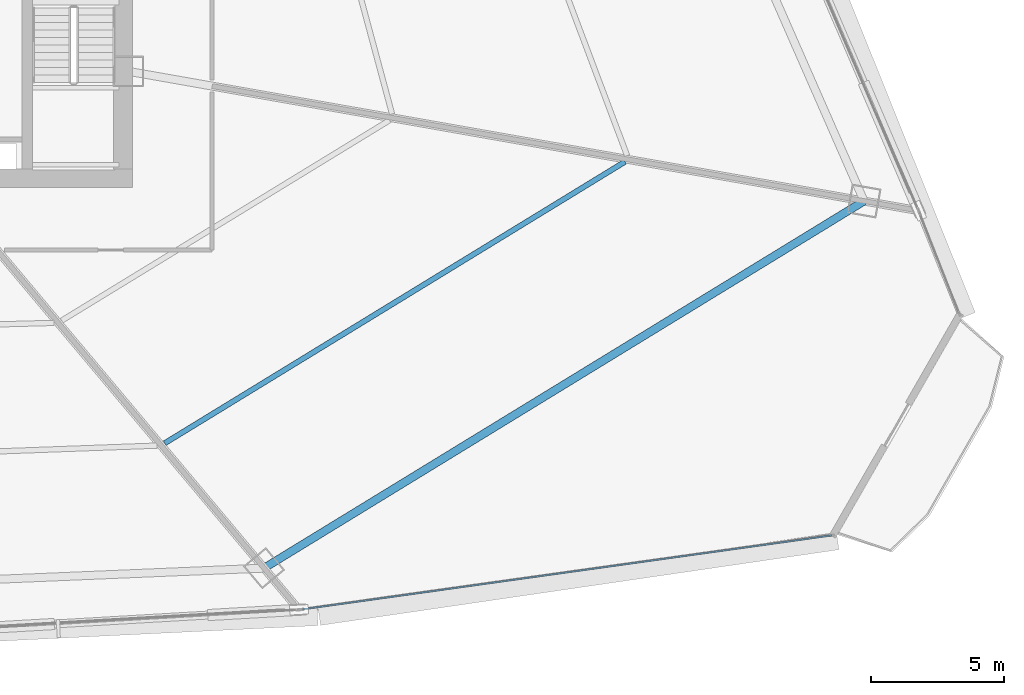
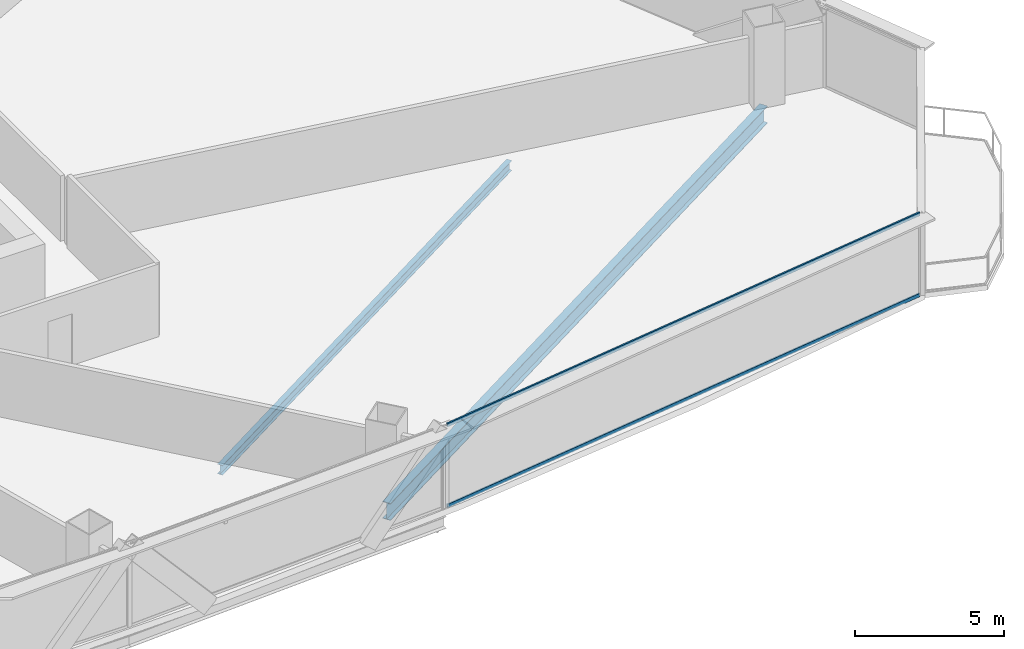
# One storey, part 20 of 38: 2 beams, 2 members, 1 element without a shape of its own.
"""IFC4 building model written with IfcOpenShell, lengths in metres."""

from ifc_helpers import new_model, si_unit, direction, frame, origin, origin_2d, place, context, subcontext, project, spatial, hollow_rectangle, i_section, extrude, source, transform, mapped, material, layer, layer_set, material_profile, profile_set, type_object, element, aggregate, save


model = new_model("IFC4")

# Units and contexts
model_context = context("Model", 3, precision=1e-05, world=origin(), true_north=direction((0.0, 1.0)))
body_context = subcontext(model_context, "Body", "Model", "MODEL_VIEW")
ifc_project = project(units=[si_unit("LENGTHUNIT", "METRE"), si_unit("AREAUNIT", "SQUARE_METRE"), si_unit("VOLUMEUNIT", "CUBIC_METRE"), si_unit("PLANEANGLEUNIT", "RADIAN"), si_unit("MASSUNIT", "GRAM", prefix="KILO"), si_unit("THERMODYNAMICTEMPERATUREUNIT", "KELVIN"), si_unit("POWERUNIT", "WATT")], contexts=[model_context])

# Site, building, storey
site_placement = place(None, origin())
site = spatial("IfcSite", under=ifc_project, at=site_placement, CompositionType="ELEMENT")
building_placement = place(site_placement, origin())
building = spatial("IfcBuilding", under=site, at=building_placement, Name="Yunzhuo Pagoda Commons", CompositionType="ELEMENT")
storey_placement = place(building_placement, frame((0.0, 0.0, 30.39990234375)))
storey = spatial("IfcBuildingStorey", under=building, at=storey_placement, Name="L07", CompositionType="ELEMENT", Elevation=30.39990234375)

# Beams
ifc_material_1 = material(Name="Structural steel Q355B", Category="steel")
ifc_material_profile_1 = material_profile(ifc_material_1, i_section(OverallWidth=0.300048828125, OverallDepth=0.699951171875, WebThickness=0.012939453125, FlangeThickness=0.02392578125, at=origin_2d()), Name="Structural steel Q355B")
ifc_profile_set_1 = profile_set([ifc_material_profile_1], Name="Structural steel Q355B")
beam_type_1 = type_object("IfcBeamType", Name="B-RG1 Beam HN 700x300x13x24", PredefinedType="BEAM", material=ifc_profile_set_1)
shared_shape_1 = source(origin(), body_context, "Body", "SweptSolid", [
    extrude(i_section(OverallWidth=0.300048828125, OverallDepth=0.699951171875, WebThickness=0.012939453125, FlangeThickness=0.02392578125, at=origin_2d()), origin(), (0.0, 0.0, 1.0), 26.432373046875),
])
beam_1_placement = place(storey_placement, frame((65.5, 12.844482421875, -0.60986328125), z_axis=(0.853031728928, 0.521859051318, 0.0), x_axis=(-0.521859051318, 0.853031728928, 0.0)))
element("IfcBeam", 1, at=beam_1_placement, inside=storey, type_object=beam_type_1, Name="L07 column-ring beam 4", PredefinedType="BEAM", context=body_context, shape_type="MappedRepresentation", body=[
    mapped(shared_shape_1, transform((0.0, 0.0, 0.0), scale=1.0)),
])
ifc_material_profile_2 = material_profile(ifc_material_1, i_section(OverallWidth=0.199951171875, OverallDepth=0.39990234375, WebThickness=0.008056640625, FlangeThickness=0.012939453125, at=origin_2d()), Name="Structural steel Q355B")
ifc_profile_set_2 = profile_set([ifc_material_profile_2], Name="Structural steel Q355B")
beam_type_2 = type_object("IfcBeamType", Name="B-JS1 Joist HN 400x200x8x13", PredefinedType="JOIST", material=ifc_profile_set_2)
shared_shape_2 = source(origin(), body_context, "Body", "SweptSolid", [
    extrude(i_section(OverallWidth=0.199951171875, OverallDepth=0.39990234375, WebThickness=0.008056640625, FlangeThickness=0.012939453125, at=origin_2d()), origin(), (0.0, 0.0, 1.0), 20.275634765625),
])
beam_2_placement = place(storey_placement, frame((61.767578125, 17.537109375, -0.4599609375), z_axis=(0.853102898066, 0.521742700295, 0.0), x_axis=(-0.521742700295, 0.853102898066, 0.0)))
element("IfcBeam", 2, at=beam_2_placement, inside=storey, type_object=beam_type_2, Name="L07 composite ring joist 2.4", PredefinedType="JOIST", context=body_context, shape_type="MappedRepresentation", body=[
    mapped(shared_shape_2, transform((0.0, 0.0, 0.0), scale=1.0)),
])

# Curtain wall, members
ifc_material_2 = material(Name="Anodized aluminium 6063-T6", Category="aluminium")
ifc_layer = layer(ifc_material_2, 0.1650390625)
ifc_layer_set = layer_set([ifc_layer], Name="Anodized aluminium 6063-T6")
curtain_wall_type = type_object("IfcCurtainWallType", Name="CW-LOW Low-Zone Ribbon Curtain Wall", PredefinedType="NOTDEFINED", material=ifc_layer_set)
curtain_wall_placement = place(storey_placement, origin())
curtain_wall = element("IfcCurtainWall", 3, at=curtain_wall_placement, inside=storey, type_object=curtain_wall_type, Name="L07 curtain wall CW-L07-F1B5", PredefinedType="NOTDEFINED")
ifc_material_profile_3 = material_profile(ifc_material_2, hollow_rectangle(XDim=0.06005859375, YDim=0.139892578125, WallThickness=0.00341796875, at=origin_2d()), Name="Anodized aluminium 6063-T6")
ifc_profile_set_3 = profile_set([ifc_material_profile_3], Name="Anodized aluminium 6063-T6")
member_type = type_object("IfcMemberType", Name="CW-LOW-T Transom RHS 140x60x3.5", PredefinedType="USERDEFINED", material=ifc_profile_set_3)
shared_shape_3 = source(origin(), body_context, "Body", "SweptSolid", [
    extrude(hollow_rectangle(XDim=0.06005859375, YDim=0.139892578125, WallThickness=0.00341796875, at=origin_2d()), origin(), (0.0, 0.0, 1.0), 20.06201171875),
])
member_1_placement = place(storey_placement, frame((66.95166015625, 11.298828125, 0.030029296875), z_axis=(0.990391410745, 0.138292637271, 0.0), x_axis=(-0.138292637271, 0.990391410745, 0.0)))
member_1 = element("IfcMember", 4, at=member_1_placement, type_object=member_type, Name="CW transom 1.1", ObjectType="TRANSOM", PredefinedType="USERDEFINED", context=body_context, shape_type="MappedRepresentation", body=[
    mapped(shared_shape_3, transform((0.0, 0.0, 0.0), scale=1.0)),
])
member_2_placement = place(storey_placement, frame((66.95166015625, 11.298828125, 3.340087890625), z_axis=(0.990391410745, 0.138292637271, 0.0), x_axis=(-0.138292637271, 0.990391410745, 0.0)))
member_2 = element("IfcMember", 5, at=member_2_placement, type_object=member_type, Name="CW transom 1.2", ObjectType="TRANSOM", PredefinedType="USERDEFINED", context=body_context, shape_type="MappedRepresentation", body=[
    mapped(shared_shape_3, transform((0.0, 0.0, 0.0), scale=1.0)),
])
aggregate(curtain_wall, [member_1, member_2])

save(model, "model.ifc")
